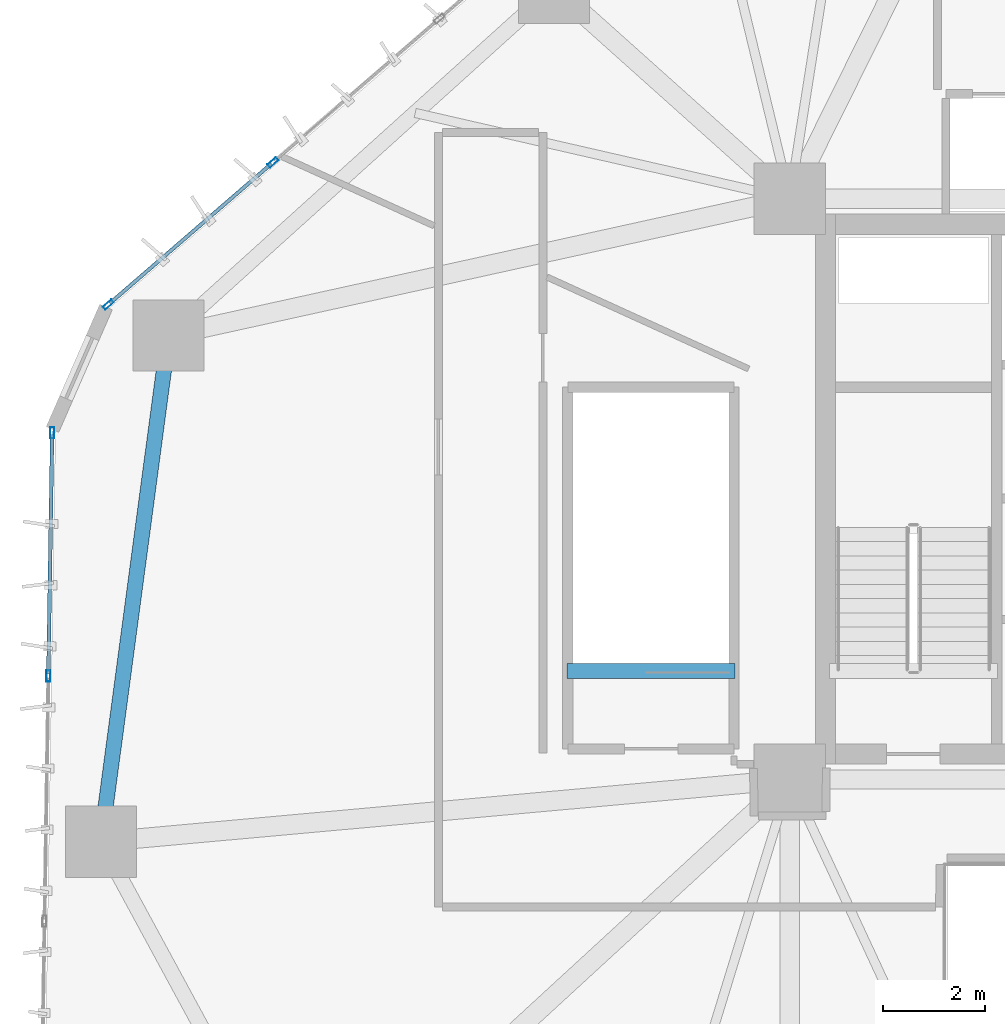
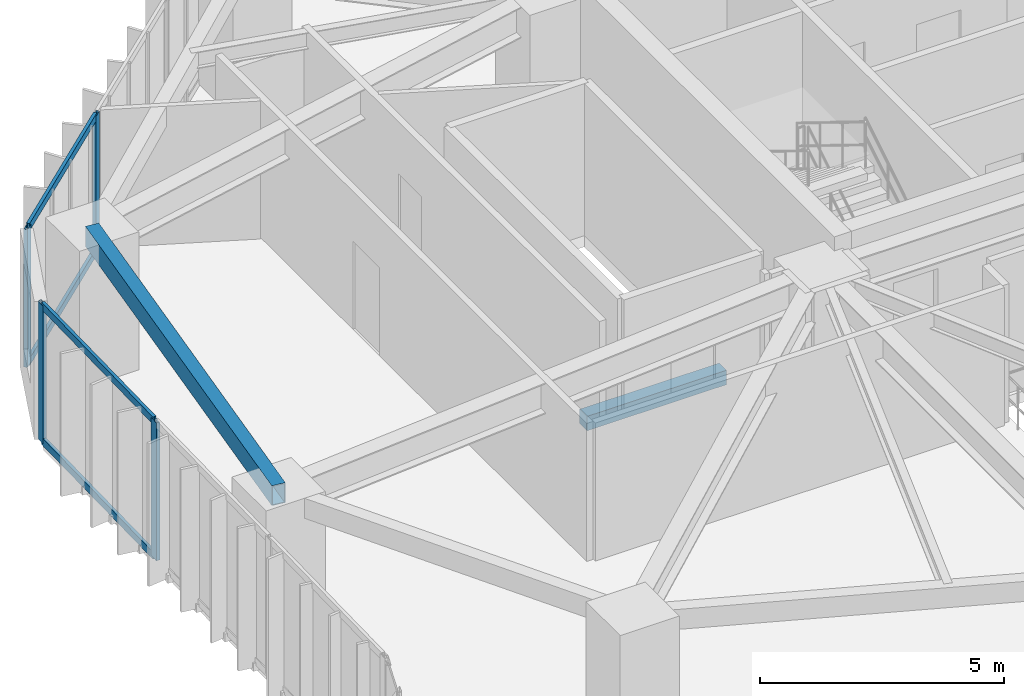
# One storey, part 7 of 24: 8 members, 2 beams, 2 elements without a shape of their own.
"""IFC4 building model written with IfcOpenShell, lengths in metres."""

from ifc_helpers import new_model, si_unit, direction, frame, origin, origin_2d, place, context, subcontext, project, spatial, rectangle, hollow_rectangle, extrude, source, transform, mapped, material, layer, layer_set, material_profile, profile_set, type_object, type_shapes, element, aggregate, save


model = new_model("IFC4")

# Units and contexts
model_context = context("Model", 3, precision=1e-05, world=origin(), true_north=direction((0.0, 1.0)))
body_context = subcontext(model_context, "Body", "Model", "MODEL_VIEW")
ifc_project = project(units=[si_unit("LENGTHUNIT", "METRE"), si_unit("AREAUNIT", "SQUARE_METRE"), si_unit("VOLUMEUNIT", "CUBIC_METRE"), si_unit("PLANEANGLEUNIT", "RADIAN"), si_unit("MASSUNIT", "GRAM", prefix="KILO")], contexts=[model_context])

# Site, building, storey
site_placement = place(None, origin())
site = spatial("IfcSite", under=ifc_project, at=site_placement, CompositionType="ELEMENT")
building_placement = place(site_placement, origin())
building = spatial("IfcBuilding", under=site, at=building_placement, Name="Talar Marvaseh", CompositionType="ELEMENT")
storey_placement = place(building_placement, frame((0.0, 0.0, 81.0)))
storey = spatial("IfcBuildingStorey", under=building, at=storey_placement, Name="L20", CompositionType="ELEMENT", Elevation=81.0)

# Beams
ifc_material_1 = material(Name="Concrete C40/50", Category="concrete")
ifc_material_profile_1 = material_profile(ifc_material_1, rectangle(XDim=0.300048828125, YDim=0.360107421875, at=origin_2d()), Name="RC300x360")
ifc_profile_set_1 = profile_set([ifc_material_profile_1], Name="Concrete C40/50")
beam_type_1 = type_object("IfcBeamType", Name="Concrete Stair Landing Trimmer Beam RC300x360", PredefinedType="SPANDREL", material=ifc_profile_set_1)
beam_1_placement = place(storey_placement, frame((17.6201171875, 27.6298828125, -0.179931640625), z_axis=(-1.0, 0.0, 0.0), x_axis=(0.0, -1.0, 0.0)))
element("IfcBeam", 1, at=beam_1_placement, inside=storey, type_object=beam_type_1, Name="L20 ST-3 Stair Nosing Trimmer Beam", PredefinedType="SPANDREL", context=body_context, shape_type="SweptSolid", body=[
    extrude(rectangle(XDim=0.300048828125, YDim=0.360107421875, at=origin_2d()), origin(), (0.0, 0.0, 1.0), 3.300048828125),
])
ifc_material_2 = material(Name="Steel S355", Category="steel")
ifc_material_profile_2 = material_profile(ifc_material_2, hollow_rectangle(XDim=0.300048828125, YDim=0.5, WallThickness=0.02001953125, at=origin_2d()), Name="RHS500x300x20")
ifc_profile_set_2 = profile_set([ifc_material_profile_2], Name="Steel S355")
beam_type_2 = type_object("IfcBeamType", Name="Zone 1 Perimeter Spandrel Beam RHS500x300x20", PredefinedType="SPANDREL", material=ifc_profile_set_2)
beam_2_placement = place(storey_placement, frame((5.175048828125, 24.27587890625, 3.199951171875), z_axis=(0.132340758564, 0.991204279461, 0.0), x_axis=(-0.991204279461, 0.132340758564, 0.0)))
element("IfcBeam", 2, at=beam_2_placement, inside=storey, type_object=beam_type_2, Name="L20 Zone 1 Perimeter Spandrel Beam RHS500x300x20", PredefinedType="SPANDREL", context=body_context, shape_type="SweptSolid", body=[
    extrude(hollow_rectangle(XDim=0.300048828125, YDim=0.5, WallThickness=0.02001953125, at=origin_2d()), origin(), (0.0, 0.0, 1.0), 10.0263671875),
])

# Curtain wall, members
ifc_material_3 = material(Name="Architectural Aluminium", Category="aluminium")
ifc_layer = layer(ifc_material_3, 0.219970703125)
ifc_layer_set = layer_set([ifc_layer], Name="Architectural Aluminium")
curtain_wall_type = type_object("IfcCurtainWallType", Name="Unitised Low-E Museum Curtain Wall Z1", PredefinedType="NOTDEFINED", material=ifc_layer_set)
curtain_wall_1_placement = place(storey_placement, origin())
curtain_wall_1 = element("IfcCurtainWall", 3, at=curtain_wall_1_placement, inside=storey, type_object=curtain_wall_type, Name="L20 Unitised Low-E Museum Curtain Wall Z1", PredefinedType="NOTDEFINED")
ifc_material_profile_3 = material_profile(ifc_material_3, hollow_rectangle(XDim=0.074951171875, YDim=0.179931640625, WallThickness=0.0048828125, at=origin_2d()), Name="RHS180x75x5")
ifc_profile_set_3 = profile_set([ifc_material_profile_3], Name="Architectural Aluminium")
member_type_1 = type_object("IfcMemberType", Name="Unitised Curtain Wall Transom RHS180x75x5", PredefinedType="USERDEFINED", material=ifc_profile_set_3)
shared_shape_1 = source(origin(), body_context, "Body", "SweptSolid", [
    extrude(hollow_rectangle(XDim=0.074951171875, YDim=0.179931640625, WallThickness=0.0048828125, at=origin_2d()), origin(), (0.0, 0.0, 1.0), 4.19189453125),
])
member_1_placement = place(storey_placement, frame((5.351806640625, 34.848388671875, 0.03759765625), z_axis=(0.75676800466, 0.65368355274, 0.0), x_axis=(-0.65368355274, 0.75676800466, 0.0)))
member_1 = element("IfcMember", 4, at=member_1_placement, type_object=member_type_1, Name="CW-Z1 transom 1.1", ObjectType="TRANSOM", PredefinedType="USERDEFINED", context=body_context, shape_type="MappedRepresentation", body=[
    mapped(shared_shape_1, transform((0.0, 0.0, 0.0), x_axis=(1.0, 0.0, 0.0), y_axis=(0.0, 1.0, 0.0), z_axis=(0.0, 0.0, 1.0), scale=1.0)),
])
member_2_placement = place(storey_placement, frame((5.351806640625, 34.848388671875, 3.41259765625), z_axis=(0.75676800466, 0.65368355274, 0.0), x_axis=(-0.65368355274, 0.75676800466, 0.0)))
member_2 = element("IfcMember", 5, at=member_2_placement, type_object=member_type_1, Name="CW-Z1 transom 1.2", ObjectType="TRANSOM", PredefinedType="USERDEFINED", context=body_context, shape_type="MappedRepresentation", body=[
    mapped(shared_shape_1, transform((0.0, 0.0, 0.0), x_axis=(1.0, 0.0, 0.0), y_axis=(0.0, 1.0, 0.0), z_axis=(0.0, 0.0, 1.0), scale=1.0)),
])

curtain_wall_2_placement = place(storey_placement, origin())
curtain_wall_2 = element("IfcCurtainWall", 6, at=curtain_wall_2_placement, inside=storey, type_object=curtain_wall_type, Name="L20 Unitised Low-E Museum Curtain Wall Z1", PredefinedType="NOTDEFINED")
shared_shape_2 = source(origin(), body_context, "Body", "SweptSolid", [
    extrude(hollow_rectangle(XDim=0.074951171875, YDim=0.179931640625, WallThickness=0.0048828125, at=origin_2d()), origin(), (0.0, 0.0, 1.0), 4.696533203125),
])
type_shapes(member_type_1, [shared_shape_1, shared_shape_2])
member_3_placement = place(storey_placement, frame((4.143798828125, 27.572265625, 0.03759765625), z_axis=(0.015802549524, 0.999875131918, 0.0), x_axis=(-0.999875131918, 0.015802549524, 0.0)))
member_3 = element("IfcMember", 7, at=member_3_placement, type_object=member_type_1, Name="CW-Z1 transom 4.1", ObjectType="TRANSOM", PredefinedType="USERDEFINED", context=body_context, shape_type="MappedRepresentation", body=[
    mapped(shared_shape_2, transform((0.0, 0.0, 0.0), x_axis=(1.0, 0.0, 0.0), y_axis=(0.0, 1.0, 0.0), z_axis=(0.0, 0.0, 1.0), scale=1.0)),
])
member_4_placement = place(storey_placement, frame((4.143798828125, 27.572265625, 3.41259765625), z_axis=(0.015802549524, 0.999875131918, 0.0), x_axis=(-0.999875131918, 0.015802549524, 0.0)))
member_4 = element("IfcMember", 8, at=member_4_placement, type_object=member_type_1, Name="CW-Z1 transom 4.2", ObjectType="TRANSOM", PredefinedType="USERDEFINED", context=body_context, shape_type="MappedRepresentation", body=[
    mapped(shared_shape_2, transform((0.0, 0.0, 0.0), x_axis=(1.0, 0.0, 0.0), y_axis=(0.0, 1.0, 0.0), z_axis=(0.0, 0.0, 1.0), scale=1.0)),
])
ifc_material_profile_4 = material_profile(ifc_material_3, hollow_rectangle(XDim=0.080078125, YDim=0.219970703125, WallThickness=0.0048828125, at=origin_2d()), Name="RHS220x80x5")
ifc_profile_set_4 = profile_set([ifc_material_profile_4], Name="Architectural Aluminium")
member_type_2 = type_object("IfcMemberType", Name="Unitised Curtain Wall Heavy Mullion RHS220x80x5", PredefinedType="MULLION", material=ifc_profile_set_4)
shared_shape_3 = source(origin(), body_context, "Body", "SweptSolid", [
    extrude(hollow_rectangle(XDim=0.080078125, YDim=0.219970703125, WallThickness=0.0048828125, at=origin_2d()), origin(), (0.0, 0.0, 1.0), 3.449951171875),
])
type_shapes(member_type_2, [shared_shape_3])
member_5_placement = place(storey_placement, frame((4.143310546875, 27.5322265625, 0.0), z_axis=(0.0, 0.0, 1.0), x_axis=(-0.999875589392, 0.015773577229, 0.0)))
member_5 = element("IfcMember", 9, at=member_5_placement, type_object=member_type_2, Name="CW-Z1 mullion 4", PredefinedType="MULLION", context=body_context, shape_type="MappedRepresentation", body=[
    mapped(shared_shape_3, transform((0.0, 0.0, 0.0), x_axis=(1.0, 0.0, 0.0), y_axis=(0.0, 1.0, 0.0), z_axis=(0.0, 0.0, 1.0), scale=1.0)),
])
member_6_placement = place(storey_placement, frame((4.218505859375, 32.30810546875, 0.0), z_axis=(0.0, 0.0, 1.0), x_axis=(-0.999875589392, 0.015773577229, 0.0)))
member_6 = element("IfcMember", 10, at=member_6_placement, type_object=member_type_2, Name="CW-Z1 mullion 5", PredefinedType="MULLION", context=body_context, shape_type="MappedRepresentation", body=[
    mapped(shared_shape_3, transform((0.0, 0.0, 0.0), x_axis=(1.0, 0.0, 0.0), y_axis=(0.0, 1.0, 0.0), z_axis=(0.0, 0.0, 1.0), scale=1.0)),
])
aggregate(curtain_wall_2, [member_5, member_6, member_3, member_4])

# Member
member_7_placement = place(storey_placement, frame((5.321533203125, 34.822265625, 0.0), z_axis=(0.0, 0.0, 1.0), x_axis=(-0.653657305577, 0.756790675726, 0.0)))
member_7 = element("IfcMember", 11, at=member_7_placement, type_object=member_type_2, Name="CW-Z1 mullion 1", PredefinedType="MULLION", context=body_context, shape_type="MappedRepresentation", body=[
    mapped(shared_shape_3, transform((0.0, 0.0, 0.0), x_axis=(1.0, 0.0, 0.0), y_axis=(0.0, 1.0, 0.0), z_axis=(0.0, 0.0, 1.0), scale=1.0)),
])

member_8_placement = place(storey_placement, frame((8.554443359375, 37.61474609375, 0.0), z_axis=(0.0, 0.0, 1.0), x_axis=(-0.653657305577, 0.756790675726, 0.0)))
member_8 = element("IfcMember", 12, at=member_8_placement, type_object=member_type_2, Name="CW-Z1 mullion 2", PredefinedType="MULLION", context=body_context, shape_type="MappedRepresentation", body=[
    mapped(shared_shape_3, transform((0.0, 0.0, 0.0), x_axis=(1.0, 0.0, 0.0), y_axis=(0.0, 1.0, 0.0), z_axis=(0.0, 0.0, 1.0), scale=1.0)),
])

aggregate(curtain_wall_1, [member_7, member_8, member_1, member_2])

save(model, "model.ifc")
